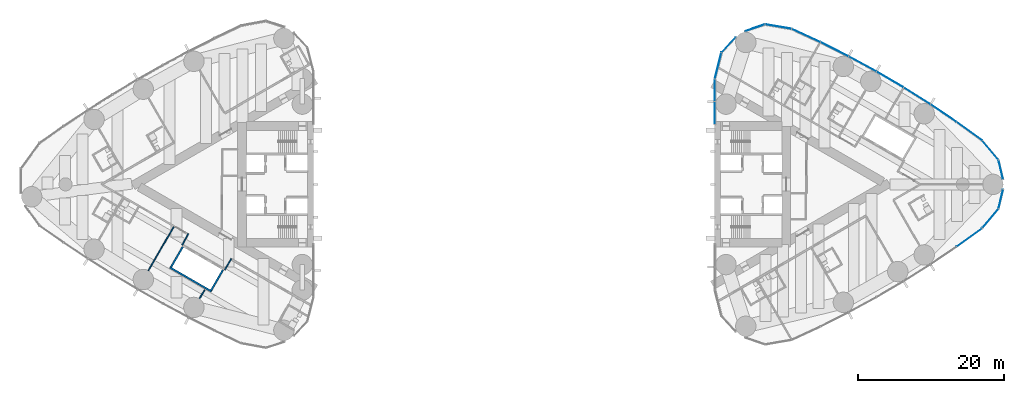
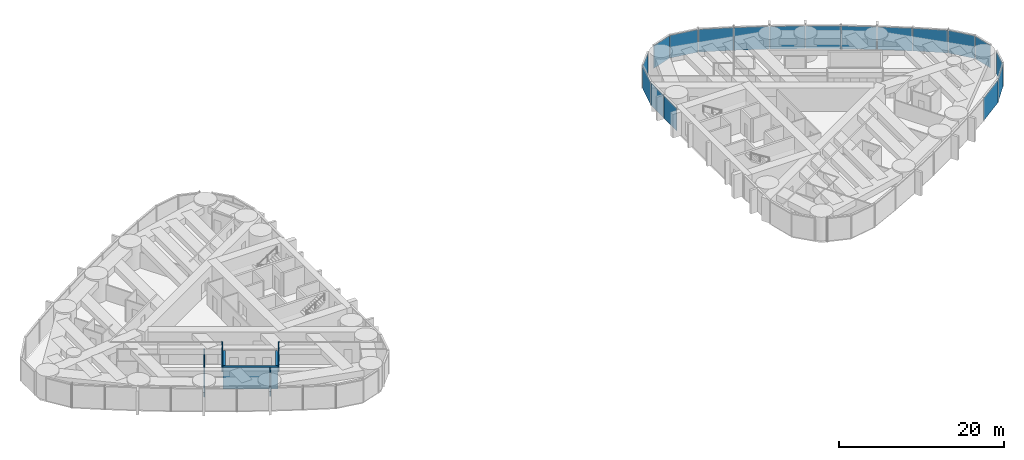
# One storey, part 11 of 19: 18 plates, 7 walls, 3 elements without a shape of their own.
"""IFC4 building model written with IfcOpenShell, lengths in metres."""

from ifc_helpers import new_model, si_unit, direction, frame, frame_2d, origin, origin_2d, place, context, subcontext, project, spatial, rectangle, extrude, material, layer, layer_set, type_object, element, aggregate, save


model = new_model("IFC4")

# Units and contexts
model_context = context("Model", 3, precision=1e-05, world=origin(), true_north=direction((0.0, 1.0)))
body_context = subcontext(model_context, "Body", "Model", "MODEL_VIEW")
ifc_project = project(units=[si_unit("LENGTHUNIT", "METRE"), si_unit("AREAUNIT", "SQUARE_METRE"), si_unit("VOLUMEUNIT", "CUBIC_METRE"), si_unit("PLANEANGLEUNIT", "RADIAN"), si_unit("MASSUNIT", "GRAM", prefix="KILO")], contexts=[model_context])

# Site, building, storey
site_placement = place(None, origin())
site = spatial("IfcSite", under=ifc_project, at=site_placement, CompositionType="ELEMENT")
building_placement = place(site_placement, origin())
building = spatial("IfcBuilding", under=site, at=building_placement, Name="Lancet Gate Hotel", CompositionType="ELEMENT")
storey_placement = place(building_placement, frame((0.0, 0.0, 184.300048828125)))
storey = spatial("IfcBuildingStorey", under=building, at=storey_placement, Name="L49", CompositionType="ELEMENT", Elevation=184.300048828125)

# Curtain wall, plates
ifc_material_1 = material(Name="Aluminium curtain wall", Category="aluminium")
curtain_wall_type = type_object("IfcCurtainWallType", Name="Tower unitised curtain wall", PredefinedType="USERDEFINED", material=ifc_material_1)
curtain_wall_1_placement = place(storey_placement, origin())
curtain_wall_1 = element("IfcCurtainWall", 1, at=curtain_wall_1_placement, inside=storey, type_object=curtain_wall_type, Name="T2 L49 curtain wall 2", ObjectType="UNITISED CURTAIN WALL", PredefinedType="USERDEFINED")
ifc_material_2 = material(Name="Glass double glazed unit 8-16-6", Category="glass")
ifc_layer_1 = layer(ifc_material_2, 0.030029296875)
ifc_layer_set_1 = layer_set([ifc_layer_1], Name="Vision panel double glazed")
plate_type = type_object("IfcPlateType", Name="Vision panel double glazed", PredefinedType="CURTAIN_PANEL", material=ifc_layer_set_1)
plate_1_placement = place(storey_placement, frame((62.417236328125, -7.279541015625, 0.0), z_axis=(0.0, 0.0, 1.0), x_axis=(0.810891442127, 0.585196607206, 0.0)))
plate_1 = element("IfcPlate", 2, at=plate_1_placement, type_object=plate_type, Name="T2 L49 curtain wall 2 panel 9", PredefinedType="CURTAIN_PANEL", context=body_context, shape_type="SweptSolid", body=[
    extrude(rectangle(XDim=4.26904296875, YDim=0.030029296875, at=origin_2d()), origin(), (0.0, 0.0, 1.0), 3.35009765625),
])
plate_2_placement = place(storey_placement, frame((65.283935546875, -4.68701171875, 0.0), z_axis=(0.0, 0.0, 1.0), x_axis=(0.642198636854, 0.766538264422, 0.0)))
plate_2 = element("IfcPlate", 3, at=plate_2_placement, type_object=plate_type, Name="T2 L49 curtain wall 2 panel 10", PredefinedType="CURTAIN_PANEL", context=body_context, shape_type="SweptSolid", body=[
    extrude(rectangle(XDim=3.390380859375, YDim=0.030029296875, at=origin_2d()), origin(), (0.0, 0.0, 1.0), 3.35009765625),
])
plate_3_placement = place(storey_placement, frame((66.710693359375, -2.0234375, 0.0), z_axis=(0.0, 0.0, 1.0), x_axis=(0.230366568544, 0.973103922558, 0.0)))
plate_3 = element("IfcPlate", 4, at=plate_3_placement, type_object=plate_type, Name="T2 L49 curtain wall 2 panel 11", PredefinedType="CURTAIN_PANEL", context=body_context, shape_type="SweptSolid", body=[
    extrude(rectangle(XDim=2.687255859375, YDim=0.030029296875, at=origin_2d()), origin(), (0.0, 0.0, 1.0), 3.35009765625),
])
aggregate(curtain_wall_1, [plate_1, plate_2, plate_3])

curtain_wall_2_placement = place(storey_placement, origin())
curtain_wall_2 = element("IfcCurtainWall", 5, at=curtain_wall_2_placement, inside=storey, type_object=curtain_wall_type, Name="T2 L49 curtain wall 3", ObjectType="UNITISED CURTAIN WALL", PredefinedType="USERDEFINED")
plate_4_placement = place(storey_placement, frame((66.710693359375, 2.0234375, 0.0), z_axis=(0.0, 0.0, 1.0), x_axis=(-0.230366568544, 0.973103922558, 0.0)))
plate_4 = element("IfcPlate", 6, at=plate_4_placement, type_object=plate_type, Name="T2 L49 curtain wall 3 panel 1", PredefinedType="CURTAIN_PANEL", context=body_context, shape_type="SweptSolid", body=[
    extrude(rectangle(XDim=2.687255859375, YDim=0.030029296875, at=origin_2d()), origin(), (0.0, 0.0, 1.0), 3.35009765625),
])
plate_5_placement = place(storey_placement, frame((65.283935546875, 4.68701171875, 0.0), z_axis=(0.0, 0.0, 1.0), x_axis=(-0.642198636854, 0.766538264422, 0.0)))
plate_5 = element("IfcPlate", 7, at=plate_5_placement, type_object=plate_type, Name="T2 L49 curtain wall 3 panel 2", PredefinedType="CURTAIN_PANEL", context=body_context, shape_type="SweptSolid", body=[
    extrude(rectangle(XDim=3.390380859375, YDim=0.030029296875, at=origin_2d()), origin(), (0.0, 0.0, 1.0), 3.35009765625),
])
plate_6_placement = place(storey_placement, frame((62.417236328125, 7.279541015625, 0.0), z_axis=(0.0, 0.0, 1.0), x_axis=(-0.810891442127, 0.585196607206, 0.0)))
plate_6 = element("IfcPlate", 8, at=plate_6_placement, type_object=plate_type, Name="T2 L49 curtain wall 3 panel 3", PredefinedType="CURTAIN_PANEL", context=body_context, shape_type="SweptSolid", body=[
    extrude(rectangle(XDim=4.26904296875, YDim=0.030029296875, at=origin_2d()), origin(), (0.0, 0.0, 1.0), 3.35009765625),
])
plate_7_placement = place(storey_placement, frame((58.863525390625, 9.75927734375, 0.0), z_axis=(0.0, 0.0, 1.0), x_axis=(-0.829038793948, 0.559191092677, 0.0)))
plate_7 = element("IfcPlate", 9, at=plate_7_placement, type_object=plate_type, Name="T2 L49 curtain wall 3 panel 4", PredefinedType="CURTAIN_PANEL", context=body_context, shape_type="SweptSolid", body=[
    extrude(rectangle(XDim=4.26904296875, YDim=0.030029296875, at=origin_2d()), origin(), (0.0, 0.0, 1.0), 3.35009765625),
])
plate_8_placement = place(storey_placement, frame((55.233154296875, 12.125244140625, 0.0), z_axis=(0.0, 0.0, 1.0), x_axis=(-0.846352453444, 0.532623248225, 0.0)))
plate_8 = element("IfcPlate", 10, at=plate_8_placement, type_object=plate_type, Name="T2 L49 curtain wall 3 panel 5", PredefinedType="CURTAIN_PANEL", context=body_context, shape_type="SweptSolid", body=[
    extrude(rectangle(XDim=4.26904296875, YDim=0.030029296875, at=origin_2d()), origin(), (0.0, 0.0, 1.0), 3.35009765625),
])
plate_9_placement = place(storey_placement, frame((51.529296875, 14.374755859375, 0.0), z_axis=(0.0, 0.0, 1.0), x_axis=(-0.862815009772, 0.505519790822, 0.0)))
plate_9 = element("IfcPlate", 11, at=plate_9_placement, type_object=plate_type, Name="T2 L49 curtain wall 3 panel 6", PredefinedType="CURTAIN_PANEL", context=body_context, shape_type="SweptSolid", body=[
    extrude(rectangle(XDim=4.26904296875, YDim=0.030029296875, at=origin_2d()), origin(), (0.0, 0.0, 1.0), 3.35009765625),
])
plate_10_placement = place(storey_placement, frame((47.756103515625, 16.505859375, 0.0), z_axis=(0.0, 0.0, 1.0), x_axis=(-0.878409907967, 0.477907976063, 0.0)))
plate_10 = element("IfcPlate", 12, at=plate_10_placement, type_object=plate_type, Name="T2 L49 curtain wall 3 panel 7", PredefinedType="CURTAIN_PANEL", context=body_context, shape_type="SweptSolid", body=[
    extrude(rectangle(XDim=4.26904296875, YDim=0.030029296875, at=origin_2d()), origin(), (0.0, 0.0, 1.0), 3.35009765625),
])
plate_11_placement = place(storey_placement, frame((43.917236328125, 18.516357421875, 0.0), z_axis=(0.0, 0.0, 1.0), x_axis=(-0.893121465596, 0.449815570752, 0.0)))
plate_11 = element("IfcPlate", 13, at=plate_11_placement, type_object=plate_type, Name="T2 L49 curtain wall 3 panel 8", PredefinedType="CURTAIN_PANEL", context=body_context, shape_type="SweptSolid", body=[
    extrude(rectangle(XDim=4.26904296875, YDim=0.030029296875, at=origin_2d()), origin(), (0.0, 0.0, 1.0), 3.35009765625),
])
plate_12_placement = place(storey_placement, frame((40.0166015625, 20.40380859375, 0.0), z_axis=(0.0, 0.0, 1.0), x_axis=(-0.906934888522, 0.421270824982, 0.0)))
plate_12 = element("IfcPlate", 14, at=plate_12_placement, type_object=plate_type, Name="T2 L49 curtain wall 3 panel 9", PredefinedType="CURTAIN_PANEL", context=body_context, shape_type="SweptSolid", body=[
    extrude(rectangle(XDim=4.26904296875, YDim=0.030029296875, at=origin_2d()), origin(), (0.0, 0.0, 1.0), 3.35009765625),
])
plate_13_placement = place(storey_placement, frame((36.231689453125, 21.629638671875, 0.0), z_axis=(0.0, 0.0, 1.0), x_axis=(-0.985539649572, 0.169444973729, 0.0)))
plate_13 = element("IfcPlate", 15, at=plate_13_placement, type_object=plate_type, Name="T2 L49 curtain wall 3 panel 10", PredefinedType="CURTAIN_PANEL", context=body_context, shape_type="SweptSolid", body=[
    extrude(rectangle(XDim=3.62744140625, YDim=0.030029296875, at=origin_2d()), origin(), (0.0, 0.0, 1.0), 3.35009765625),
])
plate_14_placement = place(storey_placement, frame((33.02197265625, 21.470703125, 0.0), z_axis=(0.0, 0.0, 1.0), x_axis=(-0.946952368511, -0.321373943827, 0.0)))
plate_14 = element("IfcPlate", 16, at=plate_14_placement, type_object=plate_type, Name="T2 L49 curtain wall 3 panel 11", PredefinedType="CURTAIN_PANEL", context=body_context, shape_type="SweptSolid", body=[
    extrude(rectangle(XDim=2.871337890625, YDim=0.030029296875, at=origin_2d()), origin(), (0.0, 0.0, 1.0), 3.35009765625),
])
aggregate(curtain_wall_2, [plate_4, plate_5, plate_6, plate_7, plate_8, plate_9, plate_10, plate_11, plate_12, plate_13, plate_14])

curtain_wall_3_placement = place(storey_placement, origin())
curtain_wall_3 = element("IfcCurtainWall", 17, at=curtain_wall_3_placement, inside=storey, type_object=curtain_wall_type, Name="T2 L49 curtain wall 4", ObjectType="UNITISED CURTAIN WALL", PredefinedType="USERDEFINED")
plate_15_placement = place(storey_placement, frame((29.4052734375, 19.122314453125, 0.0), z_axis=(0.0, 0.0, 1.0), x_axis=(-0.67883123083, -0.734294327943, 0.0)))
plate_15 = element("IfcPlate", 18, at=plate_15_placement, type_object=plate_type, Name="T2 L49 curtain wall 4 panel 1", PredefinedType="CURTAIN_PANEL", context=body_context, shape_type="SweptSolid", body=[
    extrude(rectangle(XDim=2.87060546875, YDim=0.030029296875, at=origin_2d()), origin(), (0.0, 0.0, 1.0), 3.35009765625),
])
plate_16_placement = place(storey_placement, frame((27.95458984375, 16.2548828125, 0.0), z_axis=(0.0, 0.0, 1.0), x_axis=(-0.246166705764, -0.969227503207, 0.0)))
plate_16 = element("IfcPlate", 19, at=plate_16_placement, type_object=plate_type, Name="T2 L49 curtain wall 4 panel 2", PredefinedType="CURTAIN_PANEL", context=body_context, shape_type="SweptSolid", body=[
    extrude(rectangle(XDim=3.62744140625, YDim=0.030029296875, at=origin_2d()), origin(), (0.0, 0.0, 1.0), 3.35009765625),
])
plate_17_placement = place(storey_placement, frame((27.5, 12.899169921875, 0.0), z_axis=(0.0, 0.0, 1.0), x_axis=(0.0, -1.0, 0.0)))
plate_17 = element("IfcPlate", 20, at=plate_17_placement, type_object=plate_type, Name="T2 L49 curtain wall 4 panel 3", PredefinedType="CURTAIN_PANEL", context=body_context, shape_type="SweptSolid", body=[
    extrude(rectangle(XDim=3.06787109375, YDim=0.030029296875, at=origin_2d()), origin(), (0.0, 0.0, 1.0), 3.35009765625),
])
plate_18_placement = place(storey_placement, frame((27.5, 9.766357421875, 0.0), z_axis=(0.0, 0.0, 1.0), x_axis=(0.0, -1.0, 0.0)))
plate_18 = element("IfcPlate", 21, at=plate_18_placement, type_object=plate_type, Name="T2 L49 curtain wall 4 panel 4", PredefinedType="CURTAIN_PANEL", context=body_context, shape_type="SweptSolid", body=[
    extrude(rectangle(XDim=3.06787109375, YDim=0.030029296875, at=origin_2d()), origin(), (0.0, 0.0, 1.0), 3.35009765625),
])
aggregate(curtain_wall_3, [plate_15, plate_16, plate_17, plate_18])

# Walls
ifc_material_3 = material(Name="Gypsum board partition")
ifc_layer_2 = layer(ifc_material_3, 0.25)
ifc_layer_set_2 = layer_set([ifc_layer_2], Name="Lift shaft partition 250")
wall_type_1 = type_object("IfcWallType", Name="Lift shaft partition 250", PredefinedType="PARTITIONING", material=ifc_layer_set_2)
wall_1_placement = place(storey_placement, frame((-41.482421875, -14.685791015625, 0.0), z_axis=(0.0, 0.0, 1.0), x_axis=(-0.86603344179, 0.499986077507, 0.0)))
element("IfcWall", 22, at=wall_1_placement, inside=storey, type_object=wall_type_1, Name="T1 lift shaft wall HL L49", PredefinedType="PARTITIONING", context=body_context, shape_type="SweptSolid", body=[
    extrude(rectangle(XDim=6.600341796875, YDim=0.25, at=frame_2d((3.30029296875, 0.0))), origin(), (0.0, 0.0, 1.0), 3.25),
])
for number, where, z_axis, x_axis, name in (
    (23, (-39.92822265625, -11.742919921875, 0.0), (0.0, 0.0, 1.0), (-0.499929347863, -0.866066190972, 0.0), "T1 lift shaft wall HL L49"),
    (24, (-45.427734375, -8.568115234375, 0.0), (0.0, 0.0, 1.0), (-0.499929347863, -0.866066190972, 0.0), "T1 lift shaft wall HL L49"),
):
    element("IfcWall", number, at=place(storey_placement, frame(where, z_axis=z_axis, x_axis=x_axis)), inside=storey, type_object=wall_type_1, Name=name, PredefinedType="PARTITIONING", context=body_context, shape_type="SweptSolid", body=[
        extrude(rectangle(XDim=3.20068359375, YDim=0.25, at=frame_2d((1.600341796875, 0.0))), origin(), (0.0, 0.0, 1.0), 3.25),
    ])
ifc_material_4 = material(Name="Gypsum board partition")
ifc_layer_3 = layer(ifc_material_4, 0.14990234375)
ifc_layer_set_3 = layer_set([ifc_layer_3], Name="Party wall 150")
wall_type_2 = type_object("IfcWallType", Name="Party wall 150", PredefinedType="PARTITIONING", material=ifc_layer_set_3)
wall_2_placement = place(storey_placement, frame((-46.6787109375, -5.8251953125, 0.0), z_axis=(0.0, 0.0, 1.0), x_axis=(-0.500006839597, -0.866021454905, 0.0)))
element("IfcWall", 25, at=wall_2_placement, inside=storey, type_object=wall_type_2, Name="T1 party wall 150 L49", PredefinedType="PARTITIONING", context=body_context, shape_type="SweptSolid", body=[
    extrude(rectangle(XDim=6.9111328125, YDim=0.14990234375, at=frame_2d((3.45556640625, 0.0))), origin(), (0.0, 0.0, 1.0), 2.300048828125),
])
wall_3_placement = place(storey_placement, frame((-42.429443359375, -14.45654296875, 0.0), z_axis=(0.0, 0.0, 1.0), x_axis=(-0.5000578829, -0.865991982497, 0.0)))
element("IfcWall", 26, at=wall_3_placement, inside=storey, type_object=wall_type_2, Name="T1 party wall 150 L49", PredefinedType="PARTITIONING", context=body_context, shape_type="SweptSolid", body=[
    extrude(rectangle(XDim=1.406982421875, YDim=0.14990234375, at=frame_2d((0.70361328125, 0.0))), origin(), (0.0, 0.0, 1.0), 3.25),
])
ifc_material_5 = material(Name="Gypsum board partition")
ifc_layer_4 = layer(ifc_material_5, 0.14990234375)
ifc_layer_set_4 = layer_set([ifc_layer_4], Name="Service room wall 150")
wall_type_3 = type_object("IfcWallType", Name="Service room wall 150", PredefinedType="PARTITIONING", material=ifc_layer_set_4)
for number, where, z_axis, x_axis, name in (
    (27, (-39.6826171875, -11.717529296875, 0.0), (0.0, 0.0, 1.0), (0.514336634837, 0.857588377991, 0.0), "T1 service room wall 150 L49"),
    (28, (-44.652099609375, -6.764404296875, 0.0), (0.0, 0.0, 1.0), (-0.485424724123, -0.874278466629, 0.0), "T1 service room wall 150 L49"),
):
    element("IfcWall", number, at=place(storey_placement, frame(where, z_axis=z_axis, x_axis=x_axis)), inside=storey, type_object=wall_type_3, Name=name, PredefinedType="PARTITIONING", context=body_context, shape_type="SweptSolid", body=[
        extrude(rectangle(XDim=1.80517578125, YDim=0.14990234375, at=frame_2d((0.902587890625, 0.0))), origin(), (0.0, 0.0, 1.0), 3.25),
    ])

save(model, "model.ifc")
